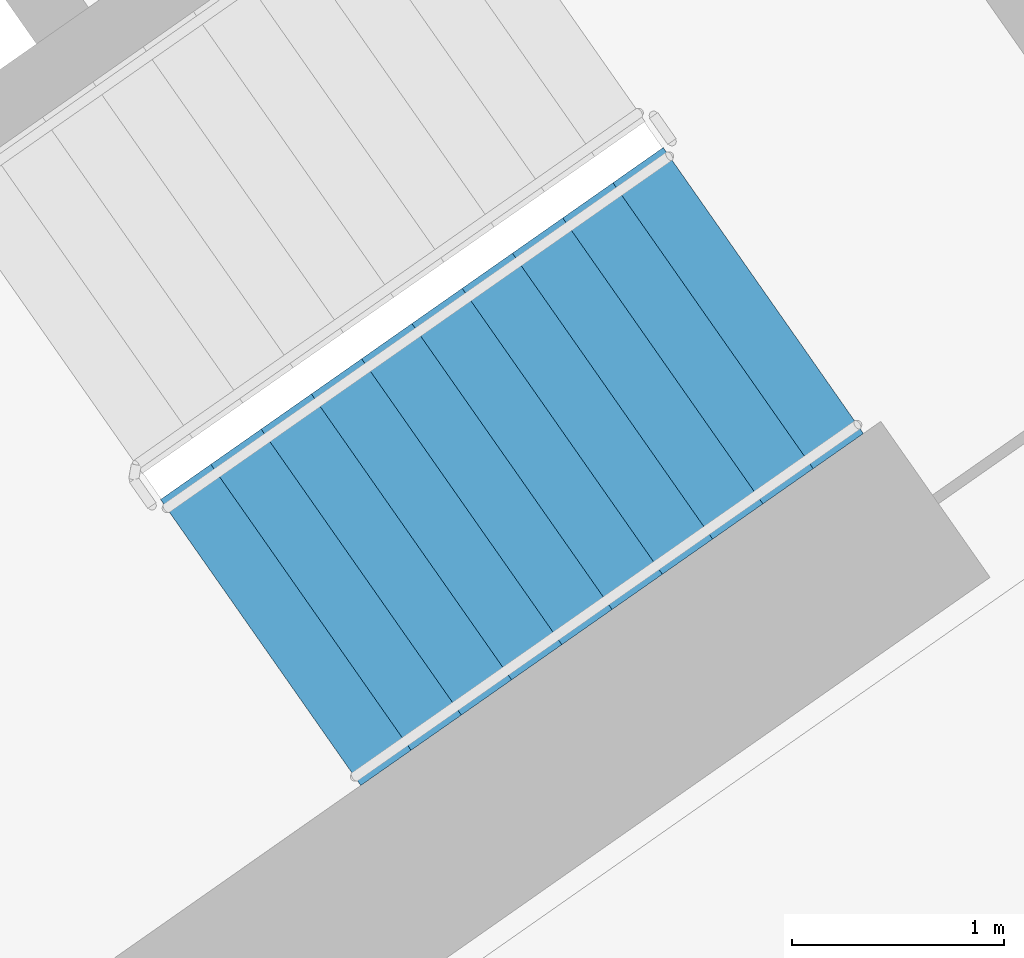
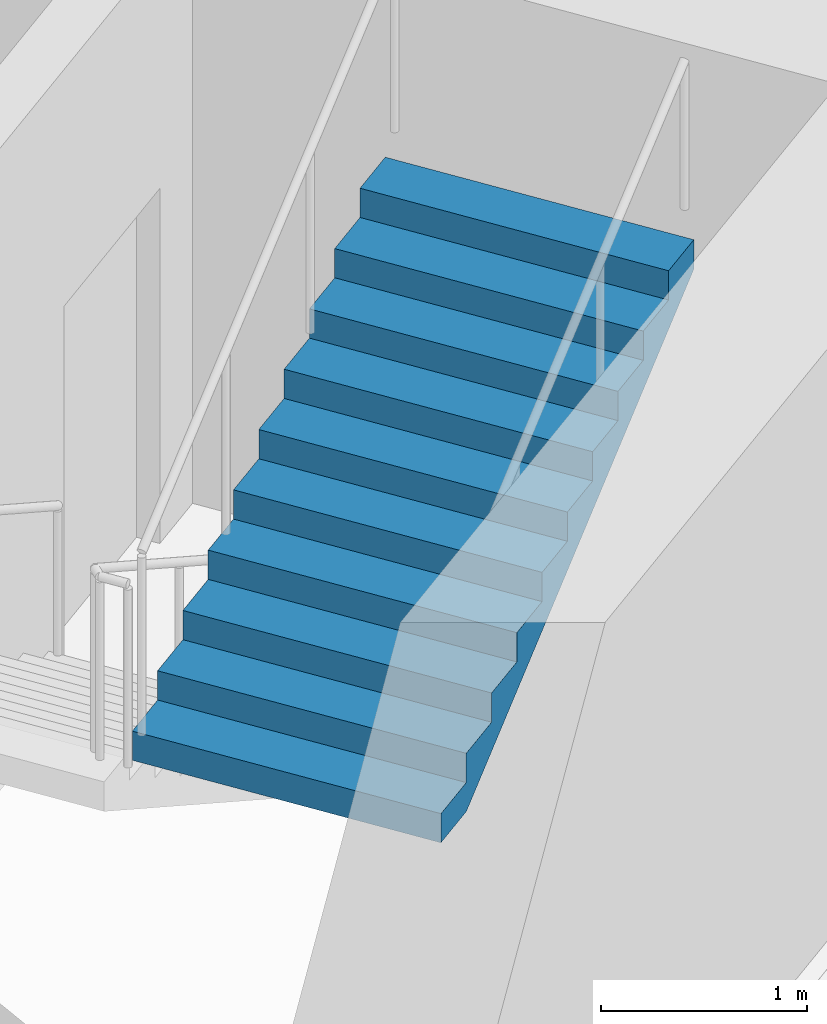
# One storey, part 15 of 31: 1 stair flight, 1 element without a shape of its own.
"""IFC4 building model written with IfcOpenShell, lengths in metres."""

from ifc_helpers import new_model, si_unit, direction, frame, origin, place, context, subcontext, project, spatial, faceted_brep, material, type_object, element, aggregate, save


model = new_model("IFC4")

# Units and contexts
model_context = context("Model", 3, precision=1e-05, world=origin(), true_north=direction((0.0, 1.0)))
body_context = subcontext(model_context, "Body", "Model", "MODEL_VIEW")
ifc_project = project(units=[si_unit("LENGTHUNIT", "METRE"), si_unit("AREAUNIT", "SQUARE_METRE"), si_unit("VOLUMEUNIT", "CUBIC_METRE"), si_unit("PLANEANGLEUNIT", "RADIAN"), si_unit("MASSUNIT", "GRAM", prefix="KILO")], contexts=[model_context])

# Site, building, storey
site_placement = place(None, origin())
site = spatial("IfcSite", under=ifc_project, at=site_placement, CompositionType="ELEMENT")
building_placement = place(site_placement, origin())
building = spatial("IfcBuilding", under=site, at=building_placement, Name="Qamariyya Broadcast Tower", CompositionType="ELEMENT")
storey_placement = place(building_placement, frame((0.0, 0.0, 48.10009765625)))
storey = spatial("IfcBuildingStorey", under=building, at=storey_placement, Name="L08", CompositionType="ELEMENT", Elevation=48.10009765625)

# Stair, stair flight
ifc_material = material(Name="Concrete C50/60", Category="concrete")
stair_type = type_object("IfcStairType", Name="Exit stair 22 risers of 173 mm", PredefinedType="HALF_TURN_STAIR", material=ifc_material)
stair_placement = place(storey_placement, origin())
stair = element("IfcStair", 1, at=stair_placement, inside=storey, type_object=stair_type, Name="L08 Stair E1", PredefinedType="HALF_TURN_STAIR")
stair_flight_type = type_object("IfcStairFlightType", Name="Exit stair flight 11 risers of 173 mm", PredefinedType="STRAIGHT", material=ifc_material)
stair_flight_placement = place(storey_placement, frame((44.693359375, -58.64599609375, 1.89990234375), z_axis=(0.0, 0.0, 1.0), x_axis=(0.819152044289, 0.573576436351, 0.0)))
stair_flight = element("IfcStairFlight", 2, at=stair_flight_placement, type_object=stair_flight_type, Name="ST-E1 flight 2", NumberOfRisers=11, NumberOfTreads=10, PredefinedType="STRAIGHT", RiserHeight=0.172727273, TreadLength=0.29, context=body_context, shape_type="Brep", body=[
    faceted_brep([(0.0, 0.824951171875, 0.0), (0.0, 0.824951171875, 0.172607421875), (0.2900390625, 0.824951171875, 0.172607421875), (0.2900390625, 0.824951171875, 0.345458984375), (0.580078125, 0.824951171875, 0.345458984375), (0.580078125, 0.824951171875, 0.51806640625), (0.8701171875, 0.824951171875, 0.51806640625), (0.8701171875, 0.824951171875, 0.69091796875), (1.159912109375, 0.824951171875, 0.69091796875), (1.159912109375, 0.824951171875, 0.863525390625), (1.449951171875, 0.824951171875, 0.863525390625), (1.449951171875, 0.824951171875, 1.036376953125), (1.739990234375, 0.824951171875, 1.036376953125), (1.739990234375, 0.824951171875, 1.208984375), (2.030029296875, 0.824951171875, 1.208984375), (2.030029296875, 0.824951171875, 1.3818359375), (2.320068359375, 0.824951171875, 1.3818359375), (2.320068359375, 0.824951171875, 1.554443359375), (2.610107421875, 0.824951171875, 1.554443359375), (2.610107421875, 0.824951171875, 1.727294921875), (2.89990234375, 0.824951171875, 1.727294921875), (2.89990234375, 0.824951171875, 1.552734375), (0.29296875, 0.824951171875, 0.0), (0.29296875, -0.824951171875, 0.0), (2.89990234375, -0.824951171875, 1.552734375), (2.89990234375, -0.824951171875, 1.727294921875), (2.610107421875, -0.824951171875, 1.727294921875), (2.610107421875, -0.824951171875, 1.554443359375), (2.320068359375, -0.824951171875, 1.554443359375), (2.320068359375, -0.824951171875, 1.3818359375), (2.030029296875, -0.824951171875, 1.3818359375), (2.030029296875, -0.824951171875, 1.208984375), (1.739990234375, -0.824951171875, 1.208984375), (1.739990234375, -0.824951171875, 1.036376953125), (1.449951171875, -0.824951171875, 1.036376953125), (1.449951171875, -0.824951171875, 0.863525390625), (1.159912109375, -0.824951171875, 0.863525390625), (1.159912109375, -0.824951171875, 0.69091796875), (0.8701171875, -0.824951171875, 0.69091796875), (0.8701171875, -0.824951171875, 0.51806640625), (0.580078125, -0.824951171875, 0.51806640625), (0.580078125, -0.824951171875, 0.345458984375), (0.2900390625, -0.824951171875, 0.345458984375), (0.2900390625, -0.824951171875, 0.172607421875), (0.0, -0.824951171875, 0.172607421875), (0.0, -0.824951171875, 0.0), (0.0, 0.10009765625, 0.0), (0.0, 0.086669921875, 0.0), (0.0, 0.0732421875, 0.0), (0.0, 0.06005859375, 0.0), (0.0, 0.046630859375, 0.0), (0.0, 0.033447265625, 0.0), (0.0, 0.02001953125, 0.0), (0.0, 0.006591796875, 0.0), (0.0, -0.006591796875, 0.0), (0.0, -0.02001953125, 0.0), (0.0, -0.033447265625, 0.0), (0.0, -0.046630859375, 0.0), (0.0, -0.06005859375, 0.0), (0.0, -0.0732421875, 0.0), (0.0, -0.086669921875, 0.0), (0.0, -0.10009765625, 0.0), (0.0, -0.10009765625, 0.172607421875), (0.0, -0.086669921875, 0.172607421875), (0.0, -0.0732421875, 0.172607421875), (0.0, -0.06005859375, 0.172607421875), (0.0, -0.046630859375, 0.172607421875), (0.0, -0.033447265625, 0.172607421875), (0.0, -0.02001953125, 0.172607421875), (0.0, -0.006591796875, 0.172607421875), (0.0, 0.006591796875, 0.172607421875), (0.0, 0.02001953125, 0.172607421875), (0.0, 0.033447265625, 0.172607421875), (0.0, 0.046630859375, 0.172607421875), (0.0, 0.06005859375, 0.172607421875), (0.0, 0.0732421875, 0.172607421875), (0.0, 0.086669921875, 0.172607421875), (0.0, 0.10009765625, 0.172607421875), (0.2900390625, -0.10009765625, 0.172607421875), (0.2900390625, -0.086669921875, 0.172607421875), (0.2900390625, -0.0732421875, 0.172607421875), (0.2900390625, -0.06005859375, 0.172607421875), (0.2900390625, -0.046630859375, 0.172607421875), (0.2900390625, -0.033447265625, 0.172607421875), (0.2900390625, -0.02001953125, 0.172607421875), (0.2900390625, -0.006591796875, 0.172607421875), (0.2900390625, 0.006591796875, 0.172607421875), (0.2900390625, 0.02001953125, 0.172607421875), (0.2900390625, 0.033447265625, 0.172607421875), (0.2900390625, 0.046630859375, 0.172607421875), (0.2900390625, 0.06005859375, 0.172607421875), (0.2900390625, 0.0732421875, 0.172607421875), (0.2900390625, 0.086669921875, 0.172607421875), (0.2900390625, 0.10009765625, 0.172607421875), (0.2900390625, -0.10009765625, 0.345458984375), (0.2900390625, -0.086669921875, 0.345458984375), (0.2900390625, -0.0732421875, 0.345458984375), (0.2900390625, -0.06005859375, 0.345458984375), (0.2900390625, -0.046630859375, 0.345458984375), (0.2900390625, -0.033447265625, 0.345458984375), (0.2900390625, -0.02001953125, 0.345458984375), (0.2900390625, -0.006591796875, 0.345458984375), (0.2900390625, 0.006591796875, 0.345458984375), (0.2900390625, 0.02001953125, 0.345458984375), (0.2900390625, 0.033447265625, 0.345458984375), (0.2900390625, 0.046630859375, 0.345458984375), (0.2900390625, 0.06005859375, 0.345458984375), (0.2900390625, 0.0732421875, 0.345458984375), (0.2900390625, 0.086669921875, 0.345458984375), (0.2900390625, 0.10009765625, 0.345458984375), (0.580078125, -0.10009765625, 0.345458984375), (0.580078125, -0.086669921875, 0.345458984375), (0.580078125, -0.0732421875, 0.345458984375), (0.580078125, -0.06005859375, 0.345458984375), (0.580078125, -0.046630859375, 0.345458984375), (0.580078125, -0.033447265625, 0.345458984375), (0.580078125, -0.02001953125, 0.345458984375), (0.580078125, -0.006591796875, 0.345458984375), (0.580078125, 0.006591796875, 0.345458984375), (0.580078125, 0.02001953125, 0.345458984375), (0.580078125, 0.033447265625, 0.345458984375), (0.580078125, 0.046630859375, 0.345458984375), (0.580078125, 0.06005859375, 0.345458984375), (0.580078125, 0.0732421875, 0.345458984375), (0.580078125, 0.086669921875, 0.345458984375), (0.580078125, 0.10009765625, 0.345458984375), (0.580078125, -0.10009765625, 0.51806640625), (0.580078125, -0.086669921875, 0.51806640625), (0.580078125, -0.0732421875, 0.51806640625), (0.580078125, -0.06005859375, 0.51806640625), (0.580078125, -0.046630859375, 0.51806640625), (0.580078125, -0.033447265625, 0.51806640625), (0.580078125, -0.02001953125, 0.51806640625), (0.580078125, -0.006591796875, 0.51806640625), (0.580078125, 0.006591796875, 0.51806640625), (0.580078125, 0.02001953125, 0.51806640625), (0.580078125, 0.033447265625, 0.51806640625), (0.580078125, 0.046630859375, 0.51806640625), (0.580078125, 0.06005859375, 0.51806640625), (0.580078125, 0.0732421875, 0.51806640625), (0.580078125, 0.086669921875, 0.51806640625), (0.580078125, 0.10009765625, 0.51806640625), (0.8701171875, -0.10009765625, 0.51806640625), (0.8701171875, -0.086669921875, 0.51806640625), (0.8701171875, -0.0732421875, 0.51806640625), (0.8701171875, -0.06005859375, 0.51806640625), (0.8701171875, -0.046630859375, 0.51806640625), (0.8701171875, -0.033447265625, 0.51806640625), (0.8701171875, -0.02001953125, 0.51806640625), (0.8701171875, -0.006591796875, 0.51806640625), (0.8701171875, 0.006591796875, 0.51806640625), (0.8701171875, 0.02001953125, 0.51806640625), (0.8701171875, 0.033447265625, 0.51806640625), (0.8701171875, 0.046630859375, 0.51806640625), (0.8701171875, 0.06005859375, 0.51806640625), (0.8701171875, 0.0732421875, 0.51806640625), (0.8701171875, 0.086669921875, 0.51806640625), (0.8701171875, 0.10009765625, 0.51806640625), (0.8701171875, -0.10009765625, 0.69091796875), (0.8701171875, -0.086669921875, 0.69091796875), (0.8701171875, -0.0732421875, 0.69091796875), (0.8701171875, -0.06005859375, 0.69091796875), (0.8701171875, -0.046630859375, 0.69091796875), (0.8701171875, -0.033447265625, 0.69091796875), (0.8701171875, -0.02001953125, 0.69091796875), (0.8701171875, -0.006591796875, 0.69091796875), (0.8701171875, 0.006591796875, 0.69091796875), (0.8701171875, 0.02001953125, 0.69091796875), (0.8701171875, 0.033447265625, 0.69091796875), (0.8701171875, 0.046630859375, 0.69091796875), (0.8701171875, 0.06005859375, 0.69091796875), (0.8701171875, 0.0732421875, 0.69091796875), (0.8701171875, 0.086669921875, 0.69091796875), (0.8701171875, 0.10009765625, 0.69091796875), (1.159912109375, -0.10009765625, 0.69091796875), (1.159912109375, -0.086669921875, 0.69091796875), (1.159912109375, -0.0732421875, 0.69091796875), (1.159912109375, -0.06005859375, 0.69091796875), (1.159912109375, -0.046630859375, 0.69091796875), (1.159912109375, -0.033447265625, 0.69091796875), (1.159912109375, -0.02001953125, 0.69091796875), (1.159912109375, -0.006591796875, 0.69091796875), (1.159912109375, 0.006591796875, 0.69091796875), (1.159912109375, 0.02001953125, 0.69091796875), (1.159912109375, 0.033447265625, 0.69091796875), (1.159912109375, 0.046630859375, 0.69091796875), (1.159912109375, 0.06005859375, 0.69091796875), (1.159912109375, 0.0732421875, 0.69091796875), (1.159912109375, 0.086669921875, 0.69091796875), (1.159912109375, 0.10009765625, 0.69091796875), (1.159912109375, -0.10009765625, 0.863525390625), (1.159912109375, -0.086669921875, 0.863525390625), (1.159912109375, -0.0732421875, 0.863525390625), (1.159912109375, -0.06005859375, 0.863525390625), (1.159912109375, -0.046630859375, 0.863525390625), (1.159912109375, -0.033447265625, 0.863525390625), (1.159912109375, -0.02001953125, 0.863525390625), (1.159912109375, -0.006591796875, 0.863525390625), (1.159912109375, 0.006591796875, 0.863525390625), (1.159912109375, 0.02001953125, 0.863525390625), (1.159912109375, 0.033447265625, 0.863525390625), (1.159912109375, 0.046630859375, 0.863525390625), (1.159912109375, 0.06005859375, 0.863525390625), (1.159912109375, 0.0732421875, 0.863525390625), (1.159912109375, 0.086669921875, 0.863525390625), (1.159912109375, 0.10009765625, 0.863525390625), (1.449951171875, -0.10009765625, 0.863525390625), (1.449951171875, -0.086669921875, 0.863525390625), (1.449951171875, -0.0732421875, 0.863525390625), (1.449951171875, -0.06005859375, 0.863525390625), (1.449951171875, -0.046630859375, 0.863525390625), (1.449951171875, -0.033447265625, 0.863525390625), (1.449951171875, -0.02001953125, 0.863525390625), (1.449951171875, -0.006591796875, 0.863525390625), (1.449951171875, 0.006591796875, 0.863525390625), (1.449951171875, 0.02001953125, 0.863525390625), (1.449951171875, 0.033447265625, 0.863525390625), (1.449951171875, 0.046630859375, 0.863525390625), (1.449951171875, 0.06005859375, 0.863525390625), (1.449951171875, 0.0732421875, 0.863525390625), (1.449951171875, 0.086669921875, 0.863525390625), (1.449951171875, 0.10009765625, 0.863525390625), (1.449951171875, -0.10009765625, 1.036376953125), (1.449951171875, -0.086669921875, 1.036376953125), (1.449951171875, -0.0732421875, 1.036376953125), (1.449951171875, -0.06005859375, 1.036376953125), (1.449951171875, -0.046630859375, 1.036376953125), (1.449951171875, -0.033447265625, 1.036376953125), (1.449951171875, -0.02001953125, 1.036376953125), (1.449951171875, -0.006591796875, 1.036376953125), (1.449951171875, 0.006591796875, 1.036376953125), (1.449951171875, 0.02001953125, 1.036376953125), (1.449951171875, 0.033447265625, 1.036376953125), (1.449951171875, 0.046630859375, 1.036376953125), (1.449951171875, 0.06005859375, 1.036376953125), (1.449951171875, 0.0732421875, 1.036376953125), (1.449951171875, 0.086669921875, 1.036376953125), (1.449951171875, 0.10009765625, 1.036376953125), (1.739990234375, -0.10009765625, 1.036376953125), (1.739990234375, -0.086669921875, 1.036376953125), (1.739990234375, -0.0732421875, 1.036376953125), (1.739990234375, -0.06005859375, 1.036376953125), (1.739990234375, -0.046630859375, 1.036376953125), (1.739990234375, -0.033447265625, 1.036376953125), (1.739990234375, -0.02001953125, 1.036376953125), (1.739990234375, -0.006591796875, 1.036376953125), (1.739990234375, 0.006591796875, 1.036376953125), (1.739990234375, 0.02001953125, 1.036376953125), (1.739990234375, 0.033447265625, 1.036376953125), (1.739990234375, 0.046630859375, 1.036376953125), (1.739990234375, 0.06005859375, 1.036376953125), (1.739990234375, 0.0732421875, 1.036376953125), (1.739990234375, 0.086669921875, 1.036376953125), (1.739990234375, 0.10009765625, 1.036376953125), (1.739990234375, -0.10009765625, 1.208984375), (1.739990234375, -0.086669921875, 1.208984375), (1.739990234375, -0.0732421875, 1.208984375), (1.739990234375, -0.06005859375, 1.208984375), (1.739990234375, -0.046630859375, 1.208984375), (1.739990234375, -0.033447265625, 1.208984375), (1.739990234375, -0.02001953125, 1.208984375), (1.739990234375, -0.006591796875, 1.208984375), (1.739990234375, 0.006591796875, 1.208984375), (1.739990234375, 0.02001953125, 1.208984375), (1.739990234375, 0.033447265625, 1.208984375), (1.739990234375, 0.046630859375, 1.208984375), (1.739990234375, 0.06005859375, 1.208984375), (1.739990234375, 0.0732421875, 1.208984375), (1.739990234375, 0.086669921875, 1.208984375), (1.739990234375, 0.10009765625, 1.208984375), (2.030029296875, -0.10009765625, 1.208984375), (2.030029296875, -0.086669921875, 1.208984375), (2.030029296875, -0.0732421875, 1.208984375), (2.030029296875, -0.06005859375, 1.208984375), (2.030029296875, -0.046630859375, 1.208984375), (2.030029296875, -0.033447265625, 1.208984375), (2.030029296875, -0.02001953125, 1.208984375), (2.030029296875, -0.006591796875, 1.208984375), (2.030029296875, 0.006591796875, 1.208984375), (2.030029296875, 0.02001953125, 1.208984375), (2.030029296875, 0.033447265625, 1.208984375), (2.030029296875, 0.046630859375, 1.208984375), (2.030029296875, 0.06005859375, 1.208984375), (2.030029296875, 0.0732421875, 1.208984375), (2.030029296875, 0.086669921875, 1.208984375), (2.030029296875, 0.10009765625, 1.208984375), (2.030029296875, -0.10009765625, 1.3818359375), (2.030029296875, -0.086669921875, 1.3818359375), (2.030029296875, -0.0732421875, 1.3818359375), (2.030029296875, -0.06005859375, 1.3818359375), (2.030029296875, -0.046630859375, 1.3818359375), (2.030029296875, -0.033447265625, 1.3818359375), (2.030029296875, -0.02001953125, 1.3818359375), (2.030029296875, -0.006591796875, 1.3818359375), (2.030029296875, 0.006591796875, 1.3818359375), (2.030029296875, 0.02001953125, 1.3818359375), (2.030029296875, 0.033447265625, 1.3818359375), (2.030029296875, 0.046630859375, 1.3818359375), (2.030029296875, 0.06005859375, 1.3818359375), (2.030029296875, 0.0732421875, 1.3818359375), (2.030029296875, 0.086669921875, 1.3818359375), (2.030029296875, 0.10009765625, 1.3818359375), (2.320068359375, -0.10009765625, 1.3818359375), (2.320068359375, -0.086669921875, 1.3818359375), (2.320068359375, -0.0732421875, 1.3818359375), (2.320068359375, -0.06005859375, 1.3818359375), (2.320068359375, -0.046630859375, 1.3818359375), (2.320068359375, -0.033447265625, 1.3818359375), (2.320068359375, -0.02001953125, 1.3818359375), (2.320068359375, -0.006591796875, 1.3818359375), (2.320068359375, 0.006591796875, 1.3818359375), (2.320068359375, 0.02001953125, 1.3818359375), (2.320068359375, 0.033447265625, 1.3818359375), (2.320068359375, 0.046630859375, 1.3818359375), (2.320068359375, 0.06005859375, 1.3818359375), (2.320068359375, 0.0732421875, 1.3818359375), (2.320068359375, 0.086669921875, 1.3818359375), (2.320068359375, 0.10009765625, 1.3818359375), (2.320068359375, -0.10009765625, 1.554443359375), (2.320068359375, -0.086669921875, 1.554443359375), (2.320068359375, -0.0732421875, 1.554443359375), (2.320068359375, -0.06005859375, 1.554443359375), (2.320068359375, -0.046630859375, 1.554443359375), (2.320068359375, -0.033447265625, 1.554443359375), (2.320068359375, -0.02001953125, 1.554443359375), (2.320068359375, -0.006591796875, 1.554443359375), (2.320068359375, 0.006591796875, 1.554443359375), (2.320068359375, 0.02001953125, 1.554443359375), (2.320068359375, 0.033447265625, 1.554443359375), (2.320068359375, 0.046630859375, 1.554443359375), (2.320068359375, 0.06005859375, 1.554443359375), (2.320068359375, 0.0732421875, 1.554443359375), (2.320068359375, 0.086669921875, 1.554443359375), (2.320068359375, 0.10009765625, 1.554443359375), (2.610107421875, -0.10009765625, 1.554443359375), (2.610107421875, -0.086669921875, 1.554443359375), (2.610107421875, -0.0732421875, 1.554443359375), (2.610107421875, -0.06005859375, 1.554443359375), (2.610107421875, -0.046630859375, 1.554443359375), (2.610107421875, -0.033447265625, 1.554443359375), (2.610107421875, -0.02001953125, 1.554443359375), (2.610107421875, -0.006591796875, 1.554443359375), (2.610107421875, 0.006591796875, 1.554443359375), (2.610107421875, 0.02001953125, 1.554443359375), (2.610107421875, 0.033447265625, 1.554443359375), (2.610107421875, 0.046630859375, 1.554443359375), (2.610107421875, 0.06005859375, 1.554443359375), (2.610107421875, 0.0732421875, 1.554443359375), (2.610107421875, 0.086669921875, 1.554443359375), (2.610107421875, 0.10009765625, 1.554443359375), (2.610107421875, -0.10009765625, 1.727294921875), (2.610107421875, -0.086669921875, 1.727294921875), (2.610107421875, -0.0732421875, 1.727294921875), (2.610107421875, -0.06005859375, 1.727294921875), (2.610107421875, -0.046630859375, 1.727294921875), (2.610107421875, -0.033447265625, 1.727294921875), (2.610107421875, -0.02001953125, 1.727294921875), (2.610107421875, -0.006591796875, 1.727294921875), (2.610107421875, 0.006591796875, 1.727294921875), (2.610107421875, 0.02001953125, 1.727294921875), (2.610107421875, 0.033447265625, 1.727294921875), (2.610107421875, 0.046630859375, 1.727294921875), (2.610107421875, 0.06005859375, 1.727294921875), (2.610107421875, 0.0732421875, 1.727294921875), (2.610107421875, 0.086669921875, 1.727294921875), (2.610107421875, 0.10009765625, 1.727294921875), (2.89990234375, -0.10009765625, 1.727294921875), (2.89990234375, -0.086669921875, 1.727294921875), (2.89990234375, -0.0732421875, 1.727294921875), (2.89990234375, -0.06005859375, 1.727294921875), (2.89990234375, -0.046630859375, 1.727294921875), (2.89990234375, -0.033447265625, 1.727294921875), (2.89990234375, -0.02001953125, 1.727294921875), (2.89990234375, -0.006591796875, 1.727294921875), (2.89990234375, 0.006591796875, 1.727294921875), (2.89990234375, 0.02001953125, 1.727294921875), (2.89990234375, 0.033447265625, 1.727294921875), (2.89990234375, 0.046630859375, 1.727294921875), (2.89990234375, 0.06005859375, 1.727294921875), (2.89990234375, 0.0732421875, 1.727294921875), (2.89990234375, 0.086669921875, 1.727294921875), (2.89990234375, 0.10009765625, 1.727294921875), (2.89990234375, -0.10009765625, 1.552734375), (2.89990234375, -0.086669921875, 1.552734375), (2.89990234375, -0.0732421875, 1.552734375), (2.89990234375, -0.06005859375, 1.552734375), (2.89990234375, -0.046630859375, 1.552734375), (2.89990234375, -0.033447265625, 1.552734375), (2.89990234375, -0.02001953125, 1.552734375), (2.89990234375, -0.006591796875, 1.552734375), (2.89990234375, 0.006591796875, 1.552734375), (2.89990234375, 0.02001953125, 1.552734375), (2.89990234375, 0.033447265625, 1.552734375), (2.89990234375, 0.046630859375, 1.552734375), (2.89990234375, 0.06005859375, 1.552734375), (2.89990234375, 0.0732421875, 1.552734375), (2.89990234375, 0.086669921875, 1.552734375), (2.89990234375, 0.10009765625, 1.552734375), (0.29296875, -0.10009765625, 0.0), (0.29296875, -0.086669921875, 0.0), (0.29296875, -0.0732421875, 0.0), (0.29296875, -0.06005859375, 0.0), (0.29296875, -0.046630859375, 0.0), (0.29296875, -0.033447265625, 0.0), (0.29296875, -0.02001953125, 0.0), (0.29296875, -0.006591796875, 0.0), (0.29296875, 0.006591796875, 0.0), (0.29296875, 0.02001953125, 0.0), (0.29296875, 0.033447265625, 0.0), (0.29296875, 0.046630859375, 0.0), (0.29296875, 0.06005859375, 0.0), (0.29296875, 0.0732421875, 0.0), (0.29296875, 0.086669921875, 0.0), (0.29296875, 0.10009765625, 0.0)], [[[0, 1, 2, 3, 4, 5, 6, 7, 8, 9, 10, 11, 12, 13, 14, 15, 16, 17, 18, 19, 20, 21, 22]], [[23, 24, 25, 26, 27, 28, 29, 30, 31, 32, 33, 34, 35, 36, 37, 38, 39, 40, 41, 42, 43, 44, 45]], [[0, 46, 47, 48, 49, 50, 51, 52, 53, 54, 55, 56, 57, 58, 59, 60, 61, 45, 44, 62, 63, 64, 65, 66, 67, 68, 69, 70, 71, 72, 73, 74, 75, 76, 77, 1]], [[1, 77, 76, 75, 74, 73, 72, 71, 70, 69, 68, 67, 66, 65, 64, 63, 62, 44, 43, 78, 79, 80, 81, 82, 83, 84, 85, 86, 87, 88, 89, 90, 91, 92, 93, 2]], [[2, 93, 92, 91, 90, 89, 88, 87, 86, 85, 84, 83, 82, 81, 80, 79, 78, 43, 42, 94, 95, 96, 97, 98, 99, 100, 101, 102, 103, 104, 105, 106, 107, 108, 109, 3]], [[3, 109, 108, 107, 106, 105, 104, 103, 102, 101, 100, 99, 98, 97, 96, 95, 94, 42, 41, 110, 111, 112, 113, 114, 115, 116, 117, 118, 119, 120, 121, 122, 123, 124, 125, 4]], [[4, 125, 124, 123, 122, 121, 120, 119, 118, 117, 116, 115, 114, 113, 112, 111, 110, 41, 40, 126, 127, 128, 129, 130, 131, 132, 133, 134, 135, 136, 137, 138, 139, 140, 141, 5]], [[5, 141, 140, 139, 138, 137, 136, 135, 134, 133, 132, 131, 130, 129, 128, 127, 126, 40, 39, 142, 143, 144, 145, 146, 147, 148, 149, 150, 151, 152, 153, 154, 155, 156, 157, 6]], [[6, 157, 156, 155, 154, 153, 152, 151, 150, 149, 148, 147, 146, 145, 144, 143, 142, 39, 38, 158, 159, 160, 161, 162, 163, 164, 165, 166, 167, 168, 169, 170, 171, 172, 173, 7]], [[7, 173, 172, 171, 170, 169, 168, 167, 166, 165, 164, 163, 162, 161, 160, 159, 158, 38, 37, 174, 175, 176, 177, 178, 179, 180, 181, 182, 183, 184, 185, 186, 187, 188, 189, 8]], [[8, 189, 188, 187, 186, 185, 184, 183, 182, 181, 180, 179, 178, 177, 176, 175, 174, 37, 36, 190, 191, 192, 193, 194, 195, 196, 197, 198, 199, 200, 201, 202, 203, 204, 205, 9]], [[9, 205, 204, 203, 202, 201, 200, 199, 198, 197, 196, 195, 194, 193, 192, 191, 190, 36, 35, 206, 207, 208, 209, 210, 211, 212, 213, 214, 215, 216, 217, 218, 219, 220, 221, 10]], [[10, 221, 220, 219, 218, 217, 216, 215, 214, 213, 212, 211, 210, 209, 208, 207, 206, 35, 34, 222, 223, 224, 225, 226, 227, 228, 229, 230, 231, 232, 233, 234, 235, 236, 237, 11]], [[11, 237, 236, 235, 234, 233, 232, 231, 230, 229, 228, 227, 226, 225, 224, 223, 222, 34, 33, 238, 239, 240, 241, 242, 243, 244, 245, 246, 247, 248, 249, 250, 251, 252, 253, 12]], [[12, 253, 252, 251, 250, 249, 248, 247, 246, 245, 244, 243, 242, 241, 240, 239, 238, 33, 32, 254, 255, 256, 257, 258, 259, 260, 261, 262, 263, 264, 265, 266, 267, 268, 269, 13]], [[13, 269, 268, 267, 266, 265, 264, 263, 262, 261, 260, 259, 258, 257, 256, 255, 254, 32, 31, 270, 271, 272, 273, 274, 275, 276, 277, 278, 279, 280, 281, 282, 283, 284, 285, 14]], [[14, 285, 284, 283, 282, 281, 280, 279, 278, 277, 276, 275, 274, 273, 272, 271, 270, 31, 30, 286, 287, 288, 289, 290, 291, 292, 293, 294, 295, 296, 297, 298, 299, 300, 301, 15]], [[15, 301, 300, 299, 298, 297, 296, 295, 294, 293, 292, 291, 290, 289, 288, 287, 286, 30, 29, 302, 303, 304, 305, 306, 307, 308, 309, 310, 311, 312, 313, 314, 315, 316, 317, 16]], [[16, 317, 316, 315, 314, 313, 312, 311, 310, 309, 308, 307, 306, 305, 304, 303, 302, 29, 28, 318, 319, 320, 321, 322, 323, 324, 325, 326, 327, 328, 329, 330, 331, 332, 333, 17]], [[17, 333, 332, 331, 330, 329, 328, 327, 326, 325, 324, 323, 322, 321, 320, 319, 318, 28, 27, 334, 335, 336, 337, 338, 339, 340, 341, 342, 343, 344, 345, 346, 347, 348, 349, 18]], [[18, 349, 348, 347, 346, 345, 344, 343, 342, 341, 340, 339, 338, 337, 336, 335, 334, 27, 26, 350, 351, 352, 353, 354, 355, 356, 357, 358, 359, 360, 361, 362, 363, 364, 365, 19]], [[19, 365, 364, 363, 362, 361, 360, 359, 358, 357, 356, 355, 354, 353, 352, 351, 350, 26, 25, 366, 367, 368, 369, 370, 371, 372, 373, 374, 375, 376, 377, 378, 379, 380, 381, 20]], [[20, 381, 380, 379, 378, 377, 376, 375, 374, 373, 372, 371, 370, 369, 368, 367, 366, 25, 24, 382, 383, 384, 385, 386, 387, 388, 389, 390, 391, 392, 393, 394, 395, 396, 397, 21]], [[21, 397, 396, 395, 394, 393, 392, 391, 390, 389, 388, 387, 386, 385, 384, 383, 382, 24, 23, 398, 399, 400, 401, 402, 403, 404, 405, 406, 407, 408, 409, 410, 411, 412, 413, 22]], [[22, 413, 412, 411, 410, 409, 408, 407, 406, 405, 404, 403, 402, 401, 400, 399, 398, 23, 45, 61, 60, 59, 58, 57, 56, 55, 54, 53, 52, 51, 50, 49, 48, 47, 46, 0]]]),
])
aggregate(stair, [stair_flight])

save(model, "model.ifc")
